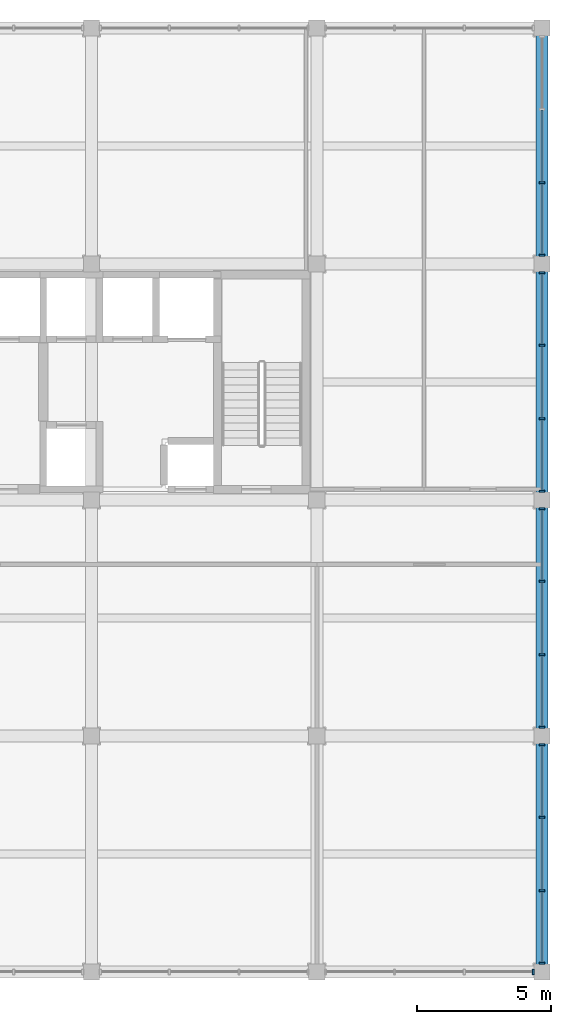
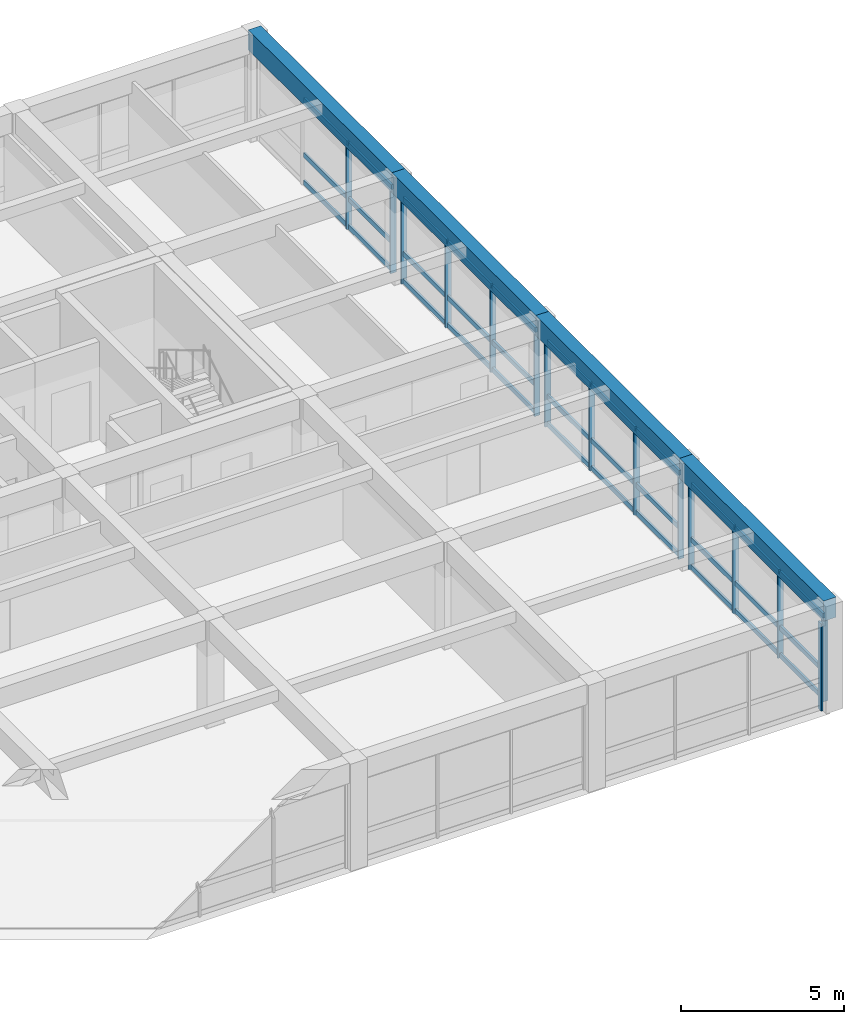
# One storey, part 5 of 14: 48 members, 4 beams, 5 elements without a shape of their own.
"""IFC4 building model written with IfcOpenShell, lengths in metres."""

from ifc_helpers import new_model, si_unit, direction, frame, origin, origin_2d, place, context, subcontext, project, spatial, rectangle, extrude, material, material_profile, profile_set, type_object, element, aggregate, save


model = new_model("IFC4")

# Units and contexts
model_context = context("Model", 3, precision=1e-05, world=origin(), true_north=direction((0.0, 1.0)))
body_context = subcontext(model_context, "Body", "Model", "MODEL_VIEW")
ifc_project = project(units=[si_unit("LENGTHUNIT", "METRE"), si_unit("AREAUNIT", "SQUARE_METRE"), si_unit("VOLUMEUNIT", "CUBIC_METRE"), si_unit("PLANEANGLEUNIT", "RADIAN"), si_unit("MASSUNIT", "GRAM", prefix="KILO")], contexts=[model_context])

# Site, building, storey
site_placement = place(None, origin())
site = spatial("IfcSite", under=ifc_project, at=site_placement, CompositionType="ELEMENT")
building_placement = place(site_placement, origin())
building = spatial("IfcBuilding", under=site, at=building_placement, Name="Kemercrest Conservatory and Botanical Centre", CompositionType="ELEMENT")
storey_placement = place(building_placement, frame((0.0, 0.0, 59.800048828125)))
storey = spatial("IfcBuildingStorey", under=building, at=storey_placement, Name="L15", CompositionType="ELEMENT", Elevation=59.800048828125)

# Curtain wall, member
ifc_material_1 = material(Name="Thermally broken aluminium and triple low-e glazing", Category="aluminium")
curtain_wall_type_1 = type_object("IfcCurtainWallType", Name="CW-29", PredefinedType="USERDEFINED", material=ifc_material_1)
curtain_wall_1_placement = place(storey_placement, origin())
curtain_wall_1 = element("IfcCurtainWall", 1, at=curtain_wall_1_placement, inside=storey, type_object=curtain_wall_type_1, Name="Unitised curtain wall CW-29 (CW:L15:V4-148)", ObjectType="UNITISED CURTAIN WALL", PredefinedType="USERDEFINED")
ifc_material_2 = material(Name="Thermally broken anodized aluminium 6063-T6", Category="aluminium")
ifc_material_profile_1 = material_profile(ifc_material_2, rectangle(XDim=0.199951171875, YDim=0.06494140625, at=origin_2d()), Name="AL MULLION 65x200")
ifc_profile_set_1 = profile_set([ifc_material_profile_1], Name="Thermally broken anodized aluminium 6063-T6")
member_type_1 = type_object("IfcMemberType", Name="CW-M200", PredefinedType="MULLION", material=ifc_profile_set_1)
member_1_placement = place(storey_placement, frame((175.672607421875, 87.199951171875, 0.0), z_axis=(0.0, 0.0, 1.0), x_axis=(0.0, 1.0, 0.0)))
member_1 = element("IfcMember", 2, at=member_1_placement, type_object=member_type_1, Name="CW-29 mullion 4", PredefinedType="MULLION", context=body_context, shape_type="SweptSolid", body=[
    extrude(rectangle(XDim=0.199951171875, YDim=0.06494140625, at=origin_2d()), origin(), (0.0, 0.0, 1.0), 3.2548828125),
])
aggregate(curtain_wall_1, [member_1])

# Curtain wall, members
curtain_wall_type_2 = type_object("IfcCurtainWallType", Name="CW-30", PredefinedType="USERDEFINED", material=ifc_material_1)
curtain_wall_2_placement = place(storey_placement, origin())
curtain_wall_2 = element("IfcCurtainWall", 3, at=curtain_wall_2_placement, inside=storey, type_object=curtain_wall_type_2, Name="Unitised curtain wall CW-30 (CW:L15:V4-149)", ObjectType="UNITISED CURTAIN WALL", PredefinedType="USERDEFINED")
member_2_placement = place(storey_placement, frame((176.0, 87.527587890625, 0.0), z_axis=(0.0, 0.0, 1.0), x_axis=(-1.0, 0.0, 0.0)))
member_2 = element("IfcMember", 4, at=member_2_placement, type_object=member_type_1, Name="CW-30 mullion 1", PredefinedType="MULLION", context=body_context, shape_type="SweptSolid", body=[
    extrude(rectangle(XDim=0.199951171875, YDim=0.06494140625, at=origin_2d()), origin(), (0.0, 0.0, 1.0), 3.2548828125),
])
member_3_placement = place(storey_placement, frame((176.0, 90.231689453125, 0.0), z_axis=(0.0, 0.0, 1.0), x_axis=(-1.0, 0.0, 0.0)))
member_3 = element("IfcMember", 5, at=member_3_placement, type_object=member_type_1, Name="CW-30 mullion 2", PredefinedType="MULLION", context=body_context, shape_type="SweptSolid", body=[
    extrude(rectangle(XDim=0.199951171875, YDim=0.06494140625, at=origin_2d()), origin(), (0.0, 0.0, 1.0), 3.2548828125),
])
member_4_placement = place(storey_placement, frame((176.0, 92.96826171875, 0.0), z_axis=(0.0, 0.0, 1.0), x_axis=(-1.0, 0.0, 0.0)))
member_4 = element("IfcMember", 6, at=member_4_placement, type_object=member_type_1, Name="CW-30 mullion 3", PredefinedType="MULLION", context=body_context, shape_type="SweptSolid", body=[
    extrude(rectangle(XDim=0.199951171875, YDim=0.06494140625, at=origin_2d()), origin(), (0.0, 0.0, 1.0), 3.2548828125),
])
member_5_placement = place(storey_placement, frame((176.0, 95.672607421875, 0.0), z_axis=(0.0, 0.0, 1.0), x_axis=(-1.0, 0.0, 0.0)))
member_5 = element("IfcMember", 7, at=member_5_placement, type_object=member_type_1, Name="CW-30 mullion 4", PredefinedType="MULLION", context=body_context, shape_type="SweptSolid", body=[
    extrude(rectangle(XDim=0.199951171875, YDim=0.06494140625, at=origin_2d()), origin(), (0.0, 0.0, 1.0), 3.2548828125),
])

curtain_wall_type_3 = type_object("IfcCurtainWallType", Name="CW-01", PredefinedType="USERDEFINED", material=ifc_material_1)
curtain_wall_3_placement = place(storey_placement, origin())
curtain_wall_3 = element("IfcCurtainWall", 8, at=curtain_wall_3_placement, inside=storey, type_object=curtain_wall_type_3, Name="Unitised curtain wall CW-01 (CW:L15:V4-150)", ObjectType="UNITISED CURTAIN WALL", PredefinedType="USERDEFINED")
member_6_placement = place(storey_placement, frame((176.0, 96.327392578125, 0.0), z_axis=(0.0, 0.0, 1.0), x_axis=(-1.0, 0.0, 0.0)))
member_6 = element("IfcMember", 9, at=member_6_placement, type_object=member_type_1, Name="CW-01 mullion 1", PredefinedType="MULLION", context=body_context, shape_type="SweptSolid", body=[
    extrude(rectangle(XDim=0.199951171875, YDim=0.06494140625, at=origin_2d()), origin(), (0.0, 0.0, 1.0), 3.2548828125),
])
member_7_placement = place(storey_placement, frame((176.0, 99.03173828125, 0.0), z_axis=(0.0, 0.0, 1.0), x_axis=(-1.0, 0.0, 0.0)))
member_7 = element("IfcMember", 10, at=member_7_placement, type_object=member_type_1, Name="CW-01 mullion 2", PredefinedType="MULLION", context=body_context, shape_type="SweptSolid", body=[
    extrude(rectangle(XDim=0.199951171875, YDim=0.06494140625, at=origin_2d()), origin(), (0.0, 0.0, 1.0), 3.2548828125),
])
member_8_placement = place(storey_placement, frame((176.0, 101.768310546875, 0.0), z_axis=(0.0, 0.0, 1.0), x_axis=(-1.0, 0.0, 0.0)))
member_8 = element("IfcMember", 11, at=member_8_placement, type_object=member_type_1, Name="CW-01 mullion 3", PredefinedType="MULLION", context=body_context, shape_type="SweptSolid", body=[
    extrude(rectangle(XDim=0.199951171875, YDim=0.06494140625, at=origin_2d()), origin(), (0.0, 0.0, 1.0), 3.2548828125),
])
member_9_placement = place(storey_placement, frame((176.0, 104.472412109375, 0.0), z_axis=(0.0, 0.0, 1.0), x_axis=(-1.0, 0.0, 0.0)))
member_9 = element("IfcMember", 12, at=member_9_placement, type_object=member_type_1, Name="CW-01 mullion 4", PredefinedType="MULLION", context=body_context, shape_type="SweptSolid", body=[
    extrude(rectangle(XDim=0.199951171875, YDim=0.06494140625, at=origin_2d()), origin(), (0.0, 0.0, 1.0), 3.2548828125),
])

curtain_wall_type_4 = type_object("IfcCurtainWallType", Name="CW-02", PredefinedType="USERDEFINED", material=ifc_material_1)
curtain_wall_4_placement = place(storey_placement, origin())
curtain_wall_4 = element("IfcCurtainWall", 13, at=curtain_wall_4_placement, inside=storey, type_object=curtain_wall_type_4, Name="Unitised curtain wall CW-02 (CW:L15:V4-151)", ObjectType="UNITISED CURTAIN WALL", PredefinedType="USERDEFINED")
member_10_placement = place(storey_placement, frame((176.0, 105.12744140625, 0.0), z_axis=(0.0, 0.0, 1.0), x_axis=(-1.0, 0.0, 0.0)))
member_10 = element("IfcMember", 14, at=member_10_placement, type_object=member_type_1, Name="CW-02 mullion 1", PredefinedType="MULLION", context=body_context, shape_type="SweptSolid", body=[
    extrude(rectangle(XDim=0.199951171875, YDim=0.06494140625, at=origin_2d()), origin(), (0.0, 0.0, 1.0), 3.2548828125),
])
member_11_placement = place(storey_placement, frame((176.0, 107.831787109375, 0.0), z_axis=(0.0, 0.0, 1.0), x_axis=(-1.0, 0.0, 0.0)))
member_11 = element("IfcMember", 15, at=member_11_placement, type_object=member_type_1, Name="CW-02 mullion 2", PredefinedType="MULLION", context=body_context, shape_type="SweptSolid", body=[
    extrude(rectangle(XDim=0.199951171875, YDim=0.06494140625, at=origin_2d()), origin(), (0.0, 0.0, 1.0), 3.2548828125),
])
member_12_placement = place(storey_placement, frame((176.0, 110.568359375, 0.0), z_axis=(0.0, 0.0, 1.0), x_axis=(-1.0, 0.0, 0.0)))
member_12 = element("IfcMember", 16, at=member_12_placement, type_object=member_type_1, Name="CW-02 mullion 3", PredefinedType="MULLION", context=body_context, shape_type="SweptSolid", body=[
    extrude(rectangle(XDim=0.199951171875, YDim=0.06494140625, at=origin_2d()), origin(), (0.0, 0.0, 1.0), 3.2548828125),
])
member_13_placement = place(storey_placement, frame((176.0, 113.2724609375, 0.0), z_axis=(0.0, 0.0, 1.0), x_axis=(-1.0, 0.0, 0.0)))
member_13 = element("IfcMember", 17, at=member_13_placement, type_object=member_type_1, Name="CW-02 mullion 4", PredefinedType="MULLION", context=body_context, shape_type="SweptSolid", body=[
    extrude(rectangle(XDim=0.199951171875, YDim=0.06494140625, at=origin_2d()), origin(), (0.0, 0.0, 1.0), 3.2548828125),
])

curtain_wall_type_5 = type_object("IfcCurtainWallType", Name="CW-03", PredefinedType="USERDEFINED", material=ifc_material_1)
curtain_wall_5_placement = place(storey_placement, origin())
curtain_wall_5 = element("IfcCurtainWall", 18, at=curtain_wall_5_placement, inside=storey, type_object=curtain_wall_type_5, Name="Unitised curtain wall CW-03 (CW:L15:V4-152)", ObjectType="UNITISED CURTAIN WALL", PredefinedType="USERDEFINED")
member_14_placement = place(storey_placement, frame((176.0, 113.927490234375, 0.0), z_axis=(0.0, 0.0, 1.0), x_axis=(-1.0, 0.0, 0.0)))
member_14 = element("IfcMember", 19, at=member_14_placement, type_object=member_type_1, Name="CW-03 mullion 1", PredefinedType="MULLION", context=body_context, shape_type="SweptSolid", body=[
    extrude(rectangle(XDim=0.199951171875, YDim=0.06494140625, at=origin_2d()), origin(), (0.0, 0.0, 1.0), 3.2548828125),
])
member_15_placement = place(storey_placement, frame((176.0, 116.631591796875, 0.0), z_axis=(0.0, 0.0, 1.0), x_axis=(-1.0, 0.0, 0.0)))
member_15 = element("IfcMember", 20, at=member_15_placement, type_object=member_type_1, Name="CW-03 mullion 2", PredefinedType="MULLION", context=body_context, shape_type="SweptSolid", body=[
    extrude(rectangle(XDim=0.199951171875, YDim=0.06494140625, at=origin_2d()), origin(), (0.0, 0.0, 1.0), 3.2548828125),
])

# Member
ifc_material_profile_2 = material_profile(ifc_material_2, rectangle(XDim=0.074951171875, YDim=0.179931640625, at=origin_2d()), Name="AL TRANSOM 75x180")
ifc_profile_set_2 = profile_set([ifc_material_profile_2], Name="Thermally broken anodized aluminium 6063-T6")
member_type_2 = type_object("IfcMemberType", Name="CW-T180", PredefinedType="USERDEFINED", material=ifc_profile_set_2)
member_16_placement = place(storey_placement, frame((176.0, 87.56005859375, 0.08984375), z_axis=(0.0, 1.0, 0.0), x_axis=(-1.0, 0.0, 0.0)))
member_16 = element("IfcMember", 21, at=member_16_placement, type_object=member_type_2, Name="CW-30 transom 1.1", ObjectType="TRANSOM", PredefinedType="USERDEFINED", context=body_context, shape_type="SweptSolid", body=[
    extrude(rectangle(XDim=0.074951171875, YDim=0.179931640625, at=origin_2d()), origin(), (0.0, 0.0, 1.0), 2.63916015625),
])

member_17_placement = place(storey_placement, frame((176.0, 87.56005859375, 1.119873046875), z_axis=(0.0, 1.0, 0.0), x_axis=(-1.0, 0.0, 0.0)))
member_17 = element("IfcMember", 22, at=member_17_placement, type_object=member_type_2, Name="CW-30 transom 1.2", ObjectType="TRANSOM", PredefinedType="USERDEFINED", context=body_context, shape_type="SweptSolid", body=[
    extrude(rectangle(XDim=0.074951171875, YDim=0.179931640625, at=origin_2d()), origin(), (0.0, 0.0, 1.0), 2.63916015625),
])

member_18_placement = place(storey_placement, frame((176.0, 87.56005859375, 3.1650390625), z_axis=(0.0, 1.0, 0.0), x_axis=(-1.0, 0.0, 0.0)))
member_18 = element("IfcMember", 23, at=member_18_placement, type_object=member_type_2, Name="CW-30 transom 1.3", ObjectType="TRANSOM", PredefinedType="USERDEFINED", context=body_context, shape_type="SweptSolid", body=[
    extrude(rectangle(XDim=0.074951171875, YDim=0.179931640625, at=origin_2d()), origin(), (0.0, 0.0, 1.0), 2.63916015625),
])

member_19_placement = place(storey_placement, frame((176.0, 90.26416015625, 0.08984375), z_axis=(0.0, 1.0, 0.0), x_axis=(-1.0, 0.0, 0.0)))
member_19 = element("IfcMember", 24, at=member_19_placement, type_object=member_type_2, Name="CW-30 transom 2.1", ObjectType="TRANSOM", PredefinedType="USERDEFINED", context=body_context, shape_type="SweptSolid", body=[
    extrude(rectangle(XDim=0.074951171875, YDim=0.179931640625, at=origin_2d()), origin(), (0.0, 0.0, 1.0), 2.671630859375),
])

member_20_placement = place(storey_placement, frame((176.0, 90.26416015625, 1.119873046875), z_axis=(0.0, 1.0, 0.0), x_axis=(-1.0, 0.0, 0.0)))
member_20 = element("IfcMember", 25, at=member_20_placement, type_object=member_type_2, Name="CW-30 transom 2.2", ObjectType="TRANSOM", PredefinedType="USERDEFINED", context=body_context, shape_type="SweptSolid", body=[
    extrude(rectangle(XDim=0.074951171875, YDim=0.179931640625, at=origin_2d()), origin(), (0.0, 0.0, 1.0), 2.671630859375),
])

member_21_placement = place(storey_placement, frame((176.0, 90.26416015625, 3.1650390625), z_axis=(0.0, 1.0, 0.0), x_axis=(-1.0, 0.0, 0.0)))
member_21 = element("IfcMember", 26, at=member_21_placement, type_object=member_type_2, Name="CW-30 transom 2.3", ObjectType="TRANSOM", PredefinedType="USERDEFINED", context=body_context, shape_type="SweptSolid", body=[
    extrude(rectangle(XDim=0.074951171875, YDim=0.179931640625, at=origin_2d()), origin(), (0.0, 0.0, 1.0), 2.671630859375),
])

member_22_placement = place(storey_placement, frame((176.0, 93.000732421875, 0.08984375), z_axis=(0.0, 1.0, 0.0), x_axis=(-1.0, 0.0, 0.0)))
member_22 = element("IfcMember", 27, at=member_22_placement, type_object=member_type_2, Name="CW-30 transom 3.1", ObjectType="TRANSOM", PredefinedType="USERDEFINED", context=body_context, shape_type="SweptSolid", body=[
    extrude(rectangle(XDim=0.074951171875, YDim=0.179931640625, at=origin_2d()), origin(), (0.0, 0.0, 1.0), 2.63916015625),
])

member_23_placement = place(storey_placement, frame((176.0, 93.000732421875, 1.119873046875), z_axis=(0.0, 1.0, 0.0), x_axis=(-1.0, 0.0, 0.0)))
member_23 = element("IfcMember", 28, at=member_23_placement, type_object=member_type_2, Name="CW-30 transom 3.2", ObjectType="TRANSOM", PredefinedType="USERDEFINED", context=body_context, shape_type="SweptSolid", body=[
    extrude(rectangle(XDim=0.074951171875, YDim=0.179931640625, at=origin_2d()), origin(), (0.0, 0.0, 1.0), 2.63916015625),
])

member_24_placement = place(storey_placement, frame((176.0, 93.000732421875, 3.1650390625), z_axis=(0.0, 1.0, 0.0), x_axis=(-1.0, 0.0, 0.0)))
member_24 = element("IfcMember", 29, at=member_24_placement, type_object=member_type_2, Name="CW-30 transom 3.3", ObjectType="TRANSOM", PredefinedType="USERDEFINED", context=body_context, shape_type="SweptSolid", body=[
    extrude(rectangle(XDim=0.074951171875, YDim=0.179931640625, at=origin_2d()), origin(), (0.0, 0.0, 1.0), 2.63916015625),
])

aggregate(curtain_wall_2, [member_2, member_3, member_4, member_5, member_16, member_17, member_18, member_19, member_20, member_21, member_22, member_23, member_24])

member_25_placement = place(storey_placement, frame((176.0, 96.360107421875, 0.08984375), z_axis=(0.0, 1.0, 0.0), x_axis=(-1.0, 0.0, 0.0)))
member_25 = element("IfcMember", 30, at=member_25_placement, type_object=member_type_2, Name="CW-01 transom 1.1", ObjectType="TRANSOM", PredefinedType="USERDEFINED", context=body_context, shape_type="SweptSolid", body=[
    extrude(rectangle(XDim=0.074951171875, YDim=0.179931640625, at=origin_2d()), origin(), (0.0, 0.0, 1.0), 2.63916015625),
])

member_26_placement = place(storey_placement, frame((176.0, 96.360107421875, 1.119873046875), z_axis=(0.0, 1.0, 0.0), x_axis=(-1.0, 0.0, 0.0)))
member_26 = element("IfcMember", 31, at=member_26_placement, type_object=member_type_2, Name="CW-01 transom 1.2", ObjectType="TRANSOM", PredefinedType="USERDEFINED", context=body_context, shape_type="SweptSolid", body=[
    extrude(rectangle(XDim=0.074951171875, YDim=0.179931640625, at=origin_2d()), origin(), (0.0, 0.0, 1.0), 2.63916015625),
])

member_27_placement = place(storey_placement, frame((176.0, 96.360107421875, 3.1650390625), z_axis=(0.0, 1.0, 0.0), x_axis=(-1.0, 0.0, 0.0)))
member_27 = element("IfcMember", 32, at=member_27_placement, type_object=member_type_2, Name="CW-01 transom 1.3", ObjectType="TRANSOM", PredefinedType="USERDEFINED", context=body_context, shape_type="SweptSolid", body=[
    extrude(rectangle(XDim=0.074951171875, YDim=0.179931640625, at=origin_2d()), origin(), (0.0, 0.0, 1.0), 2.63916015625),
])

member_28_placement = place(storey_placement, frame((176.0, 99.064208984375, 0.08984375), z_axis=(0.0, 1.0, 0.0), x_axis=(-1.0, 0.0, 0.0)))
member_28 = element("IfcMember", 33, at=member_28_placement, type_object=member_type_2, Name="CW-01 transom 2.1", ObjectType="TRANSOM", PredefinedType="USERDEFINED", context=body_context, shape_type="SweptSolid", body=[
    extrude(rectangle(XDim=0.074951171875, YDim=0.179931640625, at=origin_2d()), origin(), (0.0, 0.0, 1.0), 2.671630859375),
])

member_29_placement = place(storey_placement, frame((176.0, 99.064208984375, 1.119873046875), z_axis=(0.0, 1.0, 0.0), x_axis=(-1.0, 0.0, 0.0)))
member_29 = element("IfcMember", 34, at=member_29_placement, type_object=member_type_2, Name="CW-01 transom 2.2", ObjectType="TRANSOM", PredefinedType="USERDEFINED", context=body_context, shape_type="SweptSolid", body=[
    extrude(rectangle(XDim=0.074951171875, YDim=0.179931640625, at=origin_2d()), origin(), (0.0, 0.0, 1.0), 2.671630859375),
])

member_30_placement = place(storey_placement, frame((176.0, 99.064208984375, 3.1650390625), z_axis=(0.0, 1.0, 0.0), x_axis=(-1.0, 0.0, 0.0)))
member_30 = element("IfcMember", 35, at=member_30_placement, type_object=member_type_2, Name="CW-01 transom 2.3", ObjectType="TRANSOM", PredefinedType="USERDEFINED", context=body_context, shape_type="SweptSolid", body=[
    extrude(rectangle(XDim=0.074951171875, YDim=0.179931640625, at=origin_2d()), origin(), (0.0, 0.0, 1.0), 2.671630859375),
])

member_31_placement = place(storey_placement, frame((176.0, 101.80078125, 0.08984375), z_axis=(0.0, 1.0, 0.0), x_axis=(-1.0, 0.0, 0.0)))
member_31 = element("IfcMember", 36, at=member_31_placement, type_object=member_type_2, Name="CW-01 transom 3.1", ObjectType="TRANSOM", PredefinedType="USERDEFINED", context=body_context, shape_type="SweptSolid", body=[
    extrude(rectangle(XDim=0.074951171875, YDim=0.179931640625, at=origin_2d()), origin(), (0.0, 0.0, 1.0), 2.63916015625),
])

member_32_placement = place(storey_placement, frame((176.0, 101.80078125, 1.119873046875), z_axis=(0.0, 1.0, 0.0), x_axis=(-1.0, 0.0, 0.0)))
member_32 = element("IfcMember", 37, at=member_32_placement, type_object=member_type_2, Name="CW-01 transom 3.2", ObjectType="TRANSOM", PredefinedType="USERDEFINED", context=body_context, shape_type="SweptSolid", body=[
    extrude(rectangle(XDim=0.074951171875, YDim=0.179931640625, at=origin_2d()), origin(), (0.0, 0.0, 1.0), 2.63916015625),
])

member_33_placement = place(storey_placement, frame((176.0, 101.80078125, 3.1650390625), z_axis=(0.0, 1.0, 0.0), x_axis=(-1.0, 0.0, 0.0)))
member_33 = element("IfcMember", 38, at=member_33_placement, type_object=member_type_2, Name="CW-01 transom 3.3", ObjectType="TRANSOM", PredefinedType="USERDEFINED", context=body_context, shape_type="SweptSolid", body=[
    extrude(rectangle(XDim=0.074951171875, YDim=0.179931640625, at=origin_2d()), origin(), (0.0, 0.0, 1.0), 2.63916015625),
])

aggregate(curtain_wall_3, [member_6, member_7, member_8, member_9, member_25, member_26, member_27, member_28, member_29, member_30, member_31, member_32, member_33])

member_34_placement = place(storey_placement, frame((176.0, 105.159912109375, 0.08984375), z_axis=(0.0, 1.0, 0.0), x_axis=(-1.0, 0.0, 0.0)))
member_34 = element("IfcMember", 39, at=member_34_placement, type_object=member_type_2, Name="CW-02 transom 1.1", ObjectType="TRANSOM", PredefinedType="USERDEFINED", context=body_context, shape_type="SweptSolid", body=[
    extrude(rectangle(XDim=0.074951171875, YDim=0.179931640625, at=origin_2d()), origin(), (0.0, 0.0, 1.0), 2.63916015625),
])

member_35_placement = place(storey_placement, frame((176.0, 105.159912109375, 1.119873046875), z_axis=(0.0, 1.0, 0.0), x_axis=(-1.0, 0.0, 0.0)))
member_35 = element("IfcMember", 40, at=member_35_placement, type_object=member_type_2, Name="CW-02 transom 1.2", ObjectType="TRANSOM", PredefinedType="USERDEFINED", context=body_context, shape_type="SweptSolid", body=[
    extrude(rectangle(XDim=0.074951171875, YDim=0.179931640625, at=origin_2d()), origin(), (0.0, 0.0, 1.0), 2.63916015625),
])

member_36_placement = place(storey_placement, frame((176.0, 105.159912109375, 3.1650390625), z_axis=(0.0, 1.0, 0.0), x_axis=(-1.0, 0.0, 0.0)))
member_36 = element("IfcMember", 41, at=member_36_placement, type_object=member_type_2, Name="CW-02 transom 1.3", ObjectType="TRANSOM", PredefinedType="USERDEFINED", context=body_context, shape_type="SweptSolid", body=[
    extrude(rectangle(XDim=0.074951171875, YDim=0.179931640625, at=origin_2d()), origin(), (0.0, 0.0, 1.0), 2.63916015625),
])

member_37_placement = place(storey_placement, frame((176.0, 107.8642578125, 0.08984375), z_axis=(0.0, 1.0, 0.0), x_axis=(-1.0, 0.0, 0.0)))
member_37 = element("IfcMember", 42, at=member_37_placement, type_object=member_type_2, Name="CW-02 transom 2.1", ObjectType="TRANSOM", PredefinedType="USERDEFINED", context=body_context, shape_type="SweptSolid", body=[
    extrude(rectangle(XDim=0.074951171875, YDim=0.179931640625, at=origin_2d()), origin(), (0.0, 0.0, 1.0), 2.671630859375),
])

member_38_placement = place(storey_placement, frame((176.0, 107.8642578125, 1.119873046875), z_axis=(0.0, 1.0, 0.0), x_axis=(-1.0, 0.0, 0.0)))
member_38 = element("IfcMember", 43, at=member_38_placement, type_object=member_type_2, Name="CW-02 transom 2.2", ObjectType="TRANSOM", PredefinedType="USERDEFINED", context=body_context, shape_type="SweptSolid", body=[
    extrude(rectangle(XDim=0.074951171875, YDim=0.179931640625, at=origin_2d()), origin(), (0.0, 0.0, 1.0), 2.671630859375),
])

member_39_placement = place(storey_placement, frame((176.0, 107.8642578125, 3.1650390625), z_axis=(0.0, 1.0, 0.0), x_axis=(-1.0, 0.0, 0.0)))
member_39 = element("IfcMember", 44, at=member_39_placement, type_object=member_type_2, Name="CW-02 transom 2.3", ObjectType="TRANSOM", PredefinedType="USERDEFINED", context=body_context, shape_type="SweptSolid", body=[
    extrude(rectangle(XDim=0.074951171875, YDim=0.179931640625, at=origin_2d()), origin(), (0.0, 0.0, 1.0), 2.671630859375),
])

member_40_placement = place(storey_placement, frame((176.0, 110.600830078125, 0.08984375), z_axis=(0.0, 1.0, 0.0), x_axis=(-1.0, 0.0, 0.0)))
member_40 = element("IfcMember", 45, at=member_40_placement, type_object=member_type_2, Name="CW-02 transom 3.1", ObjectType="TRANSOM", PredefinedType="USERDEFINED", context=body_context, shape_type="SweptSolid", body=[
    extrude(rectangle(XDim=0.074951171875, YDim=0.179931640625, at=origin_2d()), origin(), (0.0, 0.0, 1.0), 2.63916015625),
])

member_41_placement = place(storey_placement, frame((176.0, 110.600830078125, 1.119873046875), z_axis=(0.0, 1.0, 0.0), x_axis=(-1.0, 0.0, 0.0)))
member_41 = element("IfcMember", 46, at=member_41_placement, type_object=member_type_2, Name="CW-02 transom 3.2", ObjectType="TRANSOM", PredefinedType="USERDEFINED", context=body_context, shape_type="SweptSolid", body=[
    extrude(rectangle(XDim=0.074951171875, YDim=0.179931640625, at=origin_2d()), origin(), (0.0, 0.0, 1.0), 2.63916015625),
])

member_42_placement = place(storey_placement, frame((176.0, 110.600830078125, 3.1650390625), z_axis=(0.0, 1.0, 0.0), x_axis=(-1.0, 0.0, 0.0)))
member_42 = element("IfcMember", 47, at=member_42_placement, type_object=member_type_2, Name="CW-02 transom 3.3", ObjectType="TRANSOM", PredefinedType="USERDEFINED", context=body_context, shape_type="SweptSolid", body=[
    extrude(rectangle(XDim=0.074951171875, YDim=0.179931640625, at=origin_2d()), origin(), (0.0, 0.0, 1.0), 2.63916015625),
])

aggregate(curtain_wall_4, [member_10, member_11, member_12, member_13, member_34, member_35, member_36, member_37, member_38, member_39, member_40, member_41, member_42])

member_43_placement = place(storey_placement, frame((176.0, 113.9599609375, 0.08984375), z_axis=(0.0, 1.0, 0.0), x_axis=(-1.0, 0.0, 0.0)))
member_43 = element("IfcMember", 48, at=member_43_placement, type_object=member_type_2, Name="CW-03 transom 1.1", ObjectType="TRANSOM", PredefinedType="USERDEFINED", context=body_context, shape_type="SweptSolid", body=[
    extrude(rectangle(XDim=0.074951171875, YDim=0.179931640625, at=origin_2d()), origin(), (0.0, 0.0, 1.0), 2.63916015625),
])

member_44_placement = place(storey_placement, frame((176.0, 113.9599609375, 1.119873046875), z_axis=(0.0, 1.0, 0.0), x_axis=(-1.0, 0.0, 0.0)))
member_44 = element("IfcMember", 49, at=member_44_placement, type_object=member_type_2, Name="CW-03 transom 1.2", ObjectType="TRANSOM", PredefinedType="USERDEFINED", context=body_context, shape_type="SweptSolid", body=[
    extrude(rectangle(XDim=0.074951171875, YDim=0.179931640625, at=origin_2d()), origin(), (0.0, 0.0, 1.0), 2.63916015625),
])

member_45_placement = place(storey_placement, frame((176.0, 113.9599609375, 3.1650390625), z_axis=(0.0, 1.0, 0.0), x_axis=(-1.0, 0.0, 0.0)))
member_45 = element("IfcMember", 50, at=member_45_placement, type_object=member_type_2, Name="CW-03 transom 1.3", ObjectType="TRANSOM", PredefinedType="USERDEFINED", context=body_context, shape_type="SweptSolid", body=[
    extrude(rectangle(XDim=0.074951171875, YDim=0.179931640625, at=origin_2d()), origin(), (0.0, 0.0, 1.0), 2.63916015625),
])

member_46_placement = place(storey_placement, frame((176.0, 116.6640625, 0.08984375), z_axis=(0.0, 1.0, 0.0), x_axis=(-1.0, 0.0, 0.0)))
member_46 = element("IfcMember", 51, at=member_46_placement, type_object=member_type_2, Name="CW-03 transom 2.1", ObjectType="TRANSOM", PredefinedType="USERDEFINED", context=body_context, shape_type="SweptSolid", body=[
    extrude(rectangle(XDim=0.074951171875, YDim=0.179931640625, at=origin_2d()), origin(), (0.0, 0.0, 1.0), 2.671875),
])

member_47_placement = place(storey_placement, frame((176.0, 116.6640625, 1.119873046875), z_axis=(0.0, 1.0, 0.0), x_axis=(-1.0, 0.0, 0.0)))
member_47 = element("IfcMember", 52, at=member_47_placement, type_object=member_type_2, Name="CW-03 transom 2.2", ObjectType="TRANSOM", PredefinedType="USERDEFINED", context=body_context, shape_type="SweptSolid", body=[
    extrude(rectangle(XDim=0.074951171875, YDim=0.179931640625, at=origin_2d()), origin(), (0.0, 0.0, 1.0), 2.671875),
])

member_48_placement = place(storey_placement, frame((176.0, 116.6640625, 3.1650390625), z_axis=(0.0, 1.0, 0.0), x_axis=(-1.0, 0.0, 0.0)))
member_48 = element("IfcMember", 53, at=member_48_placement, type_object=member_type_2, Name="CW-03 transom 2.3", ObjectType="TRANSOM", PredefinedType="USERDEFINED", context=body_context, shape_type="SweptSolid", body=[
    extrude(rectangle(XDim=0.074951171875, YDim=0.179931640625, at=origin_2d()), origin(), (0.0, 0.0, 1.0), 2.671875),
])

aggregate(curtain_wall_5, [member_14, member_15, member_43, member_44, member_45, member_46, member_47, member_48])

# Beams
ifc_material_3 = material(Name="Concrete C40/50", Category="concrete")
ifc_material_profile_3 = material_profile(ifc_material_3, rectangle(XDim=0.449951171875, YDim=0.75, at=origin_2d()), Name="RC 450x750")
ifc_profile_set_3 = profile_set([ifc_material_profile_3], Name="Concrete C40/50")
beam_type = type_object("IfcBeamType", Name="SP-RC75", PredefinedType="SPANDREL", material=ifc_profile_set_3)
for number, where, z_axis, x_axis, name in (
    (54, (176.0, 87.199951171875, 3.625), (0.0, 1.0, 0.0), (-1.0, 0.0, 0.0), "V4-L16 beam SP-RC75 21/K-L"),
    (55, (176.0, 96.0, 3.625), (0.0, 1.0, 0.0), (-1.0, 0.0, 0.0), "V4-L16 beam SP-RC75 21/L-M"),
    (56, (176.0, 104.800048828125, 3.625), (0.0, 1.0, 0.0), (-1.0, 0.0, 0.0), "V4-L16 beam SP-RC75 21/M-N"),
):
    element("IfcBeam", number, at=place(storey_placement, frame(where, z_axis=z_axis, x_axis=x_axis)), inside=storey, type_object=beam_type, Name=name, PredefinedType="SPANDREL", context=body_context, shape_type="SweptSolid", body=[
        extrude(rectangle(XDim=0.449951171875, YDim=0.75, at=origin_2d()), origin(), (0.0, 0.0, 1.0), 8.800048828125),
    ])
beam_placement = place(storey_placement, frame((176.0, 113.60009765625, 3.625), z_axis=(0.0, 1.0, 0.0), x_axis=(-1.0, 0.0, 0.0)))
element("IfcBeam", 57, at=beam_placement, inside=storey, type_object=beam_type, Name="V4-L16 beam SP-RC75 21/N-P", PredefinedType="SPANDREL", context=body_context, shape_type="SweptSolid", body=[
    extrude(rectangle(XDim=0.449951171875, YDim=0.75, at=origin_2d()), origin(), (0.0, 0.0, 1.0), 8.7998046875),
])

save(model, "model.ifc")
